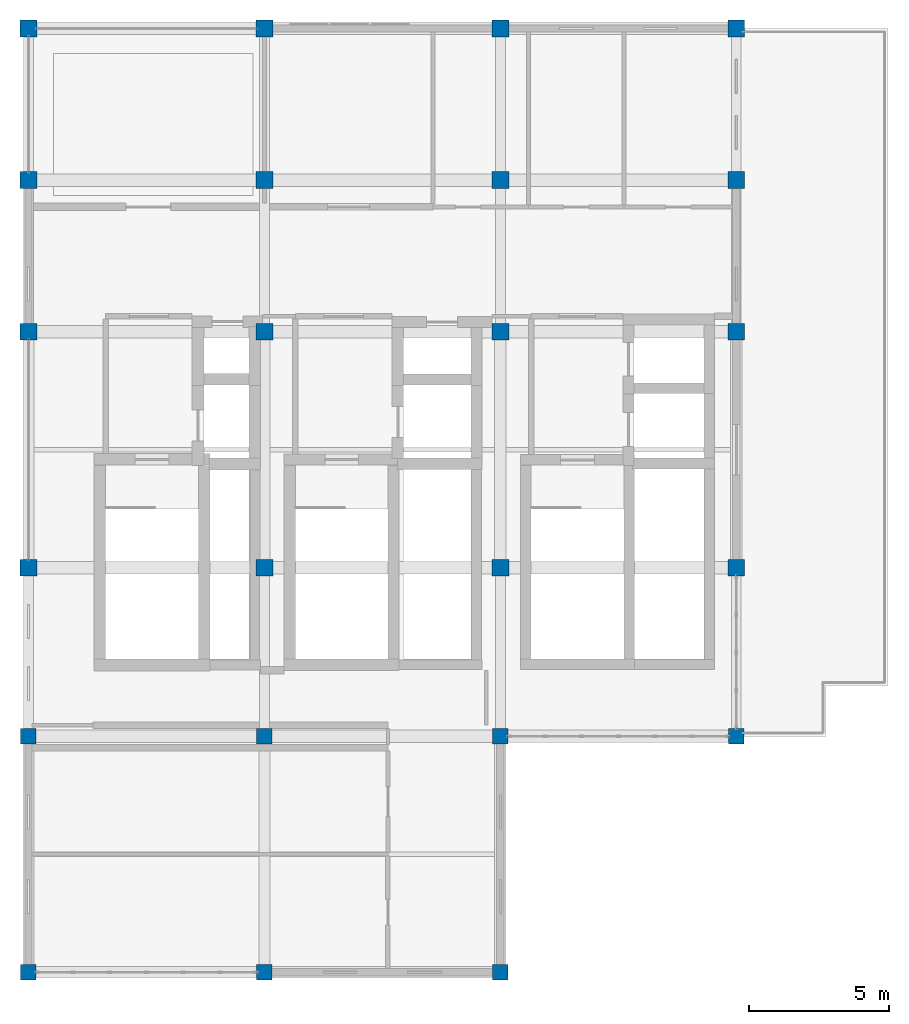
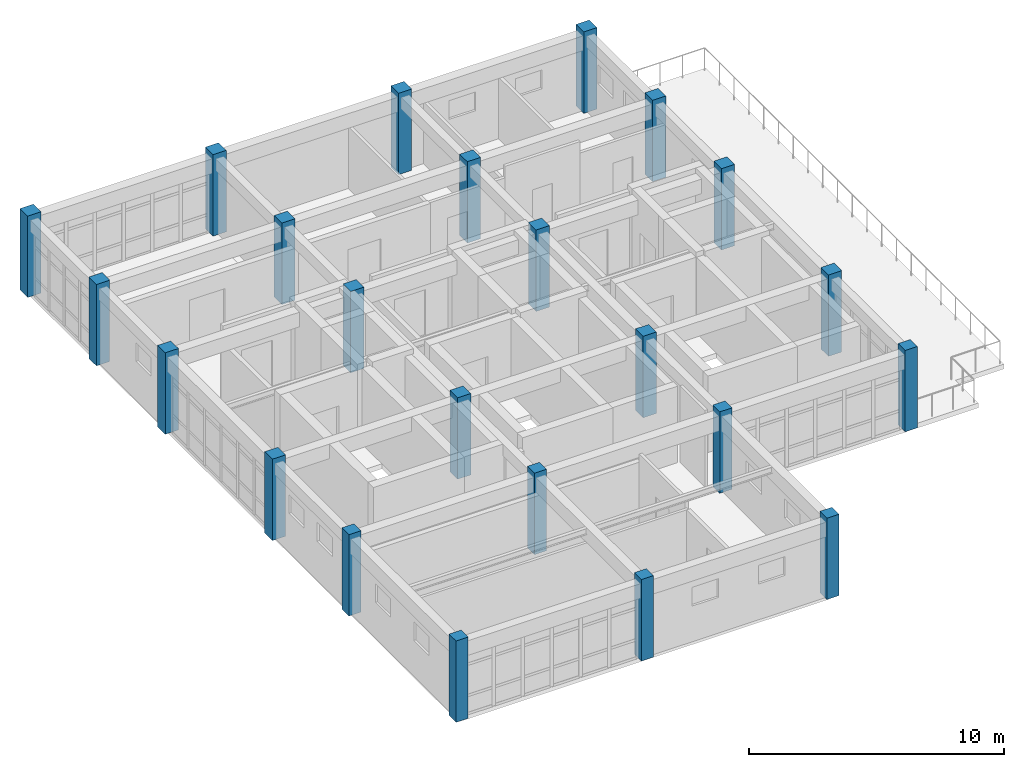
# One storey, part 1 of 17: 23 columns.
"""IFC4 building model written with IfcOpenShell, lengths in metres."""

from ifc_helpers import new_model, si_unit, direction, frame, origin, origin_2d, place, context, subcontext, project, spatial, rectangle, extrude, material, material_profile, profile_set, type_object, element, save


model = new_model("IFC4")

# Units and contexts
model_context = context("Model", 3, precision=1e-05, world=origin(), true_north=direction((0.0, 1.0)))
body_context = subcontext(model_context, "Body", "Model", "MODEL_VIEW")
ifc_project = project(units=[si_unit("LENGTHUNIT", "METRE"), si_unit("AREAUNIT", "SQUARE_METRE"), si_unit("VOLUMEUNIT", "CUBIC_METRE"), si_unit("PLANEANGLEUNIT", "RADIAN"), si_unit("MASSUNIT", "GRAM", prefix="KILO")], contexts=[model_context])

# Site, building, storey
site_placement = place(None, origin())
site = spatial("IfcSite", under=ifc_project, at=site_placement, CompositionType="ELEMENT")
building_placement = place(site_placement, origin())
building = spatial("IfcBuilding", under=site, at=building_placement, Name="Krzemoval Escarpment Law Courts", CompositionType="ELEMENT")
storey_placement = place(building_placement, frame((0.0, 0.0, 42.0)))
storey = spatial("IfcBuildingStorey", under=building, at=storey_placement, Name="L09", CompositionType="ELEMENT", Elevation=42.0)

# Columns
ifc_material_1 = material(Name="Concrete C40/50", Category="concrete")
ifc_material_profile_1 = material_profile(ifc_material_1, rectangle(XDim=0.550048828125, YDim=0.550048828125, at=origin_2d()), Name="RC 550x550")
ifc_profile_set_1 = profile_set([ifc_material_profile_1], Name="Concrete C40/50")
column_type_1 = type_object("IfcColumnType", Name="COL-RC-550", PredefinedType="COLUMN", material=ifc_profile_set_1)
for number, where, z_axis, x_axis, name in (
    (1, (126.0, 85.199951171875, 0.0), (0.0, 0.0, 1.0), (1.0, 0.0, 0.0), "Column FC-L09-1390"),
    (2, (126.0, 93.60009765625, 0.0), (0.0, 0.0, 1.0), (1.0, 0.0, 0.0), "Column FC-L09-1391"),
    (3, (134.39990234375, 85.199951171875, 0.0), (0.0, 0.0, 1.0), (1.0, 0.0, 0.0), "Column FC-L09-1396"),
    (4, (134.39990234375, 93.60009765625, 0.0), (0.0, 0.0, 1.0), (1.0, 0.0, 0.0), "Column FC-L09-1397"),
    (5, (142.800048828125, 85.199951171875, 0.0), (0.0, 0.0, 1.0), (1.0, 0.0, 0.0), "Column FC-L09-1402"),
    (6, (142.800048828125, 93.60009765625, 0.0), (0.0, 0.0, 1.0), (1.0, 0.0, 0.0), "Column FC-L09-1403"),
    (7, (151.199951171875, 93.60009765625, 0.0), (0.0, 0.0, 1.0), (1.0, 0.0, 0.0), "Column FC-L09-1408"),
):
    element("IfcColumn", number, at=place(storey_placement, frame(where, z_axis=z_axis, x_axis=x_axis)), inside=storey, type_object=column_type_1, Name=name, PredefinedType="COLUMN", context=body_context, shape_type="SweptSolid", body=[
        extrude(rectangle(XDim=0.550048828125, YDim=0.550048828125, at=origin_2d()), origin(), (0.0, 0.0, 1.0), 3.89990234375),
    ])
ifc_material_2 = material(Name="Concrete C40/50", Category="concrete")
ifc_material_profile_2 = material_profile(ifc_material_2, rectangle(XDim=0.60009765625, YDim=0.60009765625, at=origin_2d()), Name="RC 600x600")
ifc_profile_set_2 = profile_set([ifc_material_profile_2], Name="Concrete C40/50")
column_type_2 = type_object("IfcColumnType", Name="COL-RC-600", PredefinedType="COLUMN", material=ifc_profile_set_2)
for number, where, z_axis, x_axis, name in (
    (8, (126.0, 99.60009765625, 0.0), (0.0, 0.0, 1.0), (1.0, 0.0, 0.0), "Column FC-L09-1392"),
    (9, (126.0, 108.0, 0.0), (0.0, 0.0, 1.0), (1.0, 0.0, 0.0), "Column FC-L09-1393"),
    (10, (126.0, 113.39990234375, 0.0), (0.0, 0.0, 1.0), (1.0, 0.0, 0.0), "Column FC-L09-1394"),
    (11, (126.0, 118.800048828125, 0.0), (0.0, 0.0, 1.0), (1.0, 0.0, 0.0), "Column FC-L09-1395"),
    (12, (134.39990234375, 99.60009765625, 0.0), (0.0, 0.0, 1.0), (1.0, 0.0, 0.0), "Column FC-L09-1398"),
    (13, (134.39990234375, 108.0, 0.0), (0.0, 0.0, 1.0), (1.0, 0.0, 0.0), "Column FC-L09-1399"),
    (14, (134.39990234375, 113.39990234375, 0.0), (0.0, 0.0, 1.0), (1.0, 0.0, 0.0), "Column FC-L09-1400"),
    (15, (134.39990234375, 118.800048828125, 0.0), (0.0, 0.0, 1.0), (1.0, 0.0, 0.0), "Column FC-L09-1401"),
    (16, (142.800048828125, 99.60009765625, 0.0), (0.0, 0.0, 1.0), (1.0, 0.0, 0.0), "Column FC-L09-1404"),
    (17, (142.800048828125, 108.0, 0.0), (0.0, 0.0, 1.0), (1.0, 0.0, 0.0), "Column FC-L09-1405"),
    (18, (142.800048828125, 113.39990234375, 0.0), (0.0, 0.0, 1.0), (1.0, 0.0, 0.0), "Column FC-L09-1406"),
    (19, (142.800048828125, 118.800048828125, 0.0), (0.0, 0.0, 1.0), (1.0, 0.0, 0.0), "Column FC-L09-1407"),
    (20, (151.199951171875, 99.60009765625, 0.0), (0.0, 0.0, 1.0), (1.0, 0.0, 0.0), "Column FC-L09-1409"),
    (21, (151.199951171875, 108.0, 0.0), (0.0, 0.0, 1.0), (1.0, 0.0, 0.0), "Column FC-L09-1410"),
    (22, (151.199951171875, 113.39990234375, 0.0), (0.0, 0.0, 1.0), (1.0, 0.0, 0.0), "Column FC-L09-1411"),
    (23, (151.199951171875, 118.800048828125, 0.0), (0.0, 0.0, 1.0), (1.0, 0.0, 0.0), "Column FC-L09-1412"),
):
    element("IfcColumn", number, at=place(storey_placement, frame(where, z_axis=z_axis, x_axis=x_axis)), inside=storey, type_object=column_type_2, Name=name, PredefinedType="COLUMN", context=body_context, shape_type="SweptSolid", body=[
        extrude(rectangle(XDim=0.60009765625, YDim=0.60009765625, at=origin_2d()), origin(), (0.0, 0.0, 1.0), 3.89990234375),
    ])

save(model, "model.ifc")
